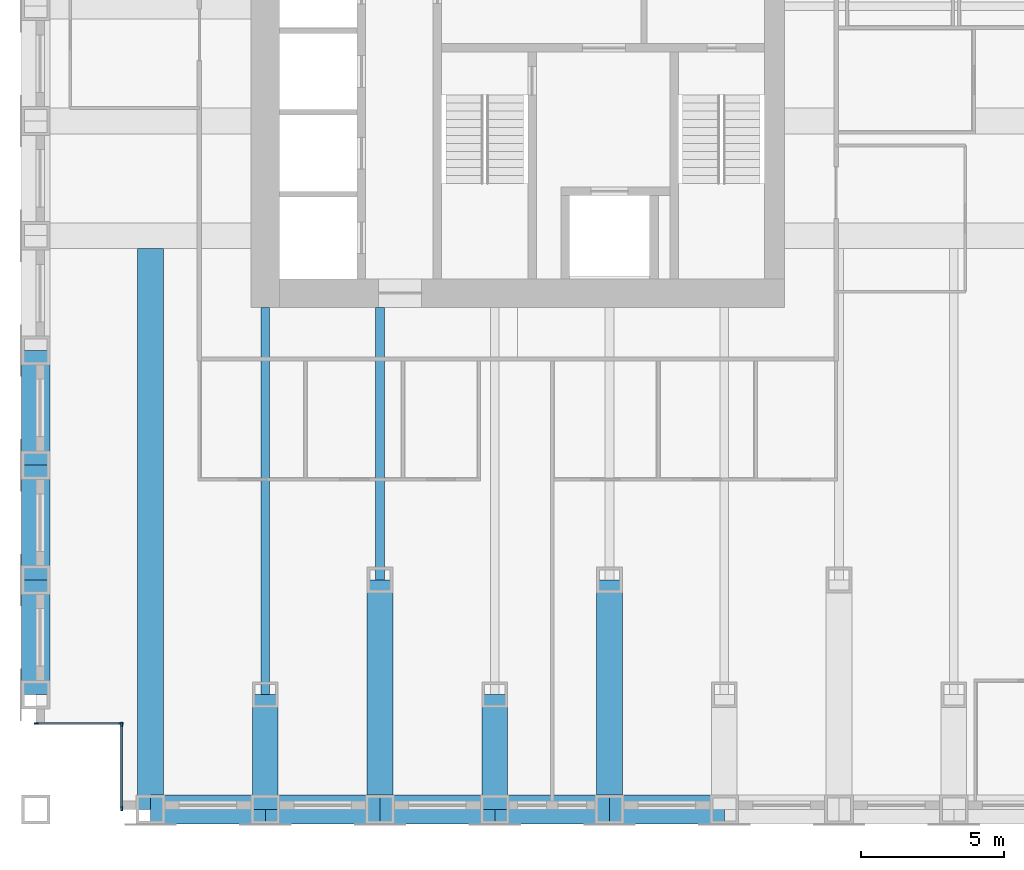
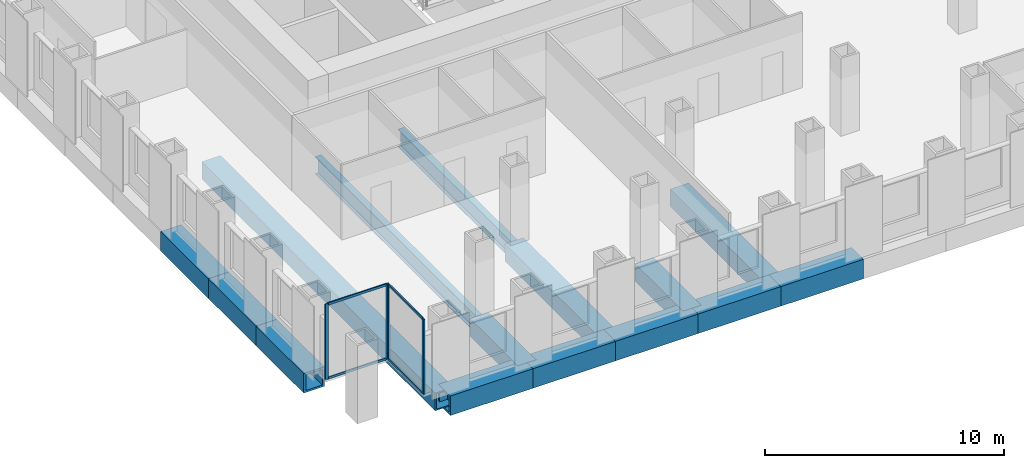
# One storey, part 2 of 16: 15 beams, 8 members, 2 elements without a shape of their own.
"""IFC4 building model written with IfcOpenShell, lengths in metres."""

from ifc_helpers import new_model, si_unit, direction, frame, origin, origin_2d, place, context, subcontext, project, spatial, rectangle, hollow_rectangle, i_section, extrude, material, material_profile, profile_set, type_object, element, aggregate, save


model = new_model("IFC4")

# Units and contexts
model_context = context("Model", 3, precision=1e-05, world=origin(), true_north=direction((0.0, 1.0)))
body_context = subcontext(model_context, "Body", "Model", "MODEL_VIEW")
ifc_project = project(units=[si_unit("LENGTHUNIT", "METRE"), si_unit("AREAUNIT", "SQUARE_METRE"), si_unit("VOLUMEUNIT", "CUBIC_METRE"), si_unit("PLANEANGLEUNIT", "RADIAN"), si_unit("MASSUNIT", "GRAM", prefix="KILO")], contexts=[model_context])

# Site, building, storey
site_placement = place(None, origin())
site = spatial("IfcSite", under=ifc_project, at=site_placement, CompositionType="ELEMENT")
building_placement = place(site_placement, origin())
building = spatial("IfcBuilding", under=site, at=building_placement, Name="Rimbunsela Tower", CompositionType="ELEMENT")
storey_placement = place(building_placement, frame((0.0, 0.0, 97.39990234375)))
storey = spatial("IfcBuildingStorey", under=building, at=storey_placement, Name="L23", CompositionType="ELEMENT", Elevation=97.39990234375)

# Beams
ifc_material_1 = material(Name="Steel BJ 55 (fy 410 MPa)", Category="steel")
ifc_material_profile_1 = material_profile(ifc_material_1, hollow_rectangle(XDim=1.0, YDim=1.0, WallThickness=0.10009765625, at=origin_2d()), Name="BOX 1000x1000x100")
ifc_profile_set_1 = profile_set([ifc_material_profile_1], Name="Steel BJ 55 (fy 410 MPa)")
beam_type_1 = type_object("IfcBeamType", Name="Beam BOX 1000x1000x100", PredefinedType="BEAM", material=ifc_profile_set_1)
for number, where, z_axis, x_axis, name in (
    (1, (10.0, 4.0, -0.64990234375), (0.0, 1.0, 0.0), (-1.0, 0.0, 0.0), "Beam B3 L23"),
    (2, (10.0, 8.0, -0.64990234375), (0.0, 1.0, 0.0), (-1.0, 0.0, 0.0), "Beam B3 L23"),
    (3, (10.0, 12.0, -0.64990234375), (0.0, 1.0, 0.0), (-1.0, 0.0, 0.0), "Beam B3 L23"),
    (4, (14.0, 0.0, -0.64990234375), (1.0, 0.0, 0.0), (0.0, 1.0, 0.0), "Beam B3 L23"),
    (5, (18.0, 0.0, -0.64990234375), (1.0, 0.0, 0.0), (0.0, 1.0, 0.0), "Beam B3 L23"),
    (6, (22.0, 0.0, -0.64990234375), (1.0, 0.0, 0.0), (0.0, 1.0, 0.0), "Beam B3 L23"),
    (7, (26.0, 0.0, -0.64990234375), (1.0, 0.0, 0.0), (0.0, 1.0, 0.0), "Beam B3 L23"),
    (8, (30.0, 0.0, -0.64990234375), (1.0, 0.0, 0.0), (0.0, 1.0, 0.0), "Beam B3 L23"),
):
    element("IfcBeam", number, at=place(storey_placement, frame(where, z_axis=z_axis, x_axis=x_axis)), inside=storey, type_object=beam_type_1, Name=name, PredefinedType="BEAM", context=body_context, shape_type="SweptSolid", body=[
        extrude(hollow_rectangle(XDim=1.0, YDim=1.0, WallThickness=0.10009765625, at=origin_2d()), origin(), (0.0, 0.0, 1.0), 4.0),
    ])
ifc_material_2 = material(Name="Steel BJ 55 (fy 410 MPa)", Category="steel")
ifc_material_profile_2 = material_profile(ifc_material_2, hollow_rectangle(XDim=0.89990234375, YDim=0.89990234375, WallThickness=0.06005859375, at=origin_2d()), Name="BOX 900x900x60")
ifc_profile_set_2 = profile_set([ifc_material_profile_2], Name="Steel BJ 55 (fy 410 MPa)")
beam_type_2 = type_object("IfcBeamType", Name="Beam BOX 900x900x60", PredefinedType="BEAM", material=ifc_profile_set_2)
beam_1_placement = place(storey_placement, frame((14.0, 0.0, -0.599853515625), z_axis=(0.0, 1.0, 0.0), x_axis=(-1.0, 0.0, 0.0)))
element("IfcBeam", 9, at=beam_1_placement, inside=storey, type_object=beam_type_2, Name="Beam B1 L23", PredefinedType="BEAM", context=body_context, shape_type="SweptSolid", body=[
    extrude(hollow_rectangle(XDim=0.89990234375, YDim=0.89990234375, WallThickness=0.06005859375, at=origin_2d()), origin(), (0.0, 0.0, 1.0), 19.550048828125),
])
beam_2_placement = place(storey_placement, frame((18.0, 0.0, -0.599853515625), z_axis=(0.0, 1.0, 0.0), x_axis=(-1.0, 0.0, 0.0)))
element("IfcBeam", 10, at=beam_2_placement, inside=storey, type_object=beam_type_2, Name="Beam B1 L23", PredefinedType="BEAM", context=body_context, shape_type="SweptSolid", body=[
    extrude(hollow_rectangle(XDim=0.89990234375, YDim=0.89990234375, WallThickness=0.06005859375, at=origin_2d()), origin(), (0.0, 0.0, 1.0), 4.0),
])
beam_3_placement = place(storey_placement, frame((22.0, 0.0, -0.599853515625), z_axis=(0.0, 1.0, 0.0), x_axis=(-1.0, 0.0, 0.0)))
element("IfcBeam", 11, at=beam_3_placement, inside=storey, type_object=beam_type_2, Name="Beam B1 L23", PredefinedType="BEAM", context=body_context, shape_type="SweptSolid", body=[
    extrude(hollow_rectangle(XDim=0.89990234375, YDim=0.89990234375, WallThickness=0.06005859375, at=origin_2d()), origin(), (0.0, 0.0, 1.0), 8.0),
])
beam_4_placement = place(storey_placement, frame((26.0, 0.0, -0.599853515625), z_axis=(0.0, 1.0, 0.0), x_axis=(-1.0, 0.0, 0.0)))
element("IfcBeam", 12, at=beam_4_placement, inside=storey, type_object=beam_type_2, Name="Beam B1 L23", PredefinedType="BEAM", context=body_context, shape_type="SweptSolid", body=[
    extrude(hollow_rectangle(XDim=0.89990234375, YDim=0.89990234375, WallThickness=0.06005859375, at=origin_2d()), origin(), (0.0, 0.0, 1.0), 4.0),
])
beam_5_placement = place(storey_placement, frame((30.0, 0.0, -0.599853515625), z_axis=(0.0, 1.0, 0.0), x_axis=(-1.0, 0.0, 0.0)))
element("IfcBeam", 13, at=beam_5_placement, inside=storey, type_object=beam_type_2, Name="Beam B1 L23", PredefinedType="BEAM", context=body_context, shape_type="SweptSolid", body=[
    extrude(hollow_rectangle(XDim=0.89990234375, YDim=0.89990234375, WallThickness=0.06005859375, at=origin_2d()), origin(), (0.0, 0.0, 1.0), 8.0),
])
ifc_material_3 = material(Name="Steel BJ 55 (fy 410 MPa)", Category="steel")
ifc_material_profile_3 = material_profile(ifc_material_3, i_section(OverallWidth=0.300048828125, OverallDepth=0.89990234375, WebThickness=0.01611328125, FlangeThickness=0.028076171875, FilletRadius=0.028076171875, at=origin_2d()), Name="H 900x300x16x28")
ifc_profile_set_3 = profile_set([ifc_material_profile_3], Name="Steel BJ 55 (fy 410 MPa)")
beam_type_3 = type_object("IfcBeamType", Name="Beam H 900x300x16x28", PredefinedType="BEAM", material=ifc_profile_set_3)
beam_6_placement = place(storey_placement, frame((18.0, 4.0, -0.599853515625), z_axis=(0.0, 1.0, 0.0), x_axis=(-1.0, 0.0, 0.0)))
element("IfcBeam", 14, at=beam_6_placement, inside=storey, type_object=beam_type_3, Name="Beam B2 L23", PredefinedType="BEAM", context=body_context, shape_type="SweptSolid", body=[
    extrude(i_section(OverallWidth=0.300048828125, OverallDepth=0.89990234375, WebThickness=0.01611328125, FlangeThickness=0.028076171875, FilletRadius=0.028076171875, at=origin_2d()), origin(), (0.0, 0.0, 1.0), 13.5),
])
beam_7_placement = place(storey_placement, frame((22.0, 8.0, -0.599853515625), z_axis=(0.0, 1.0, 0.0), x_axis=(-1.0, 0.0, 0.0)))
element("IfcBeam", 15, at=beam_7_placement, inside=storey, type_object=beam_type_3, Name="Beam B2 L23", PredefinedType="BEAM", context=body_context, shape_type="SweptSolid", body=[
    extrude(i_section(OverallWidth=0.300048828125, OverallDepth=0.89990234375, WebThickness=0.01611328125, FlangeThickness=0.028076171875, FilletRadius=0.028076171875, at=origin_2d()), origin(), (0.0, 0.0, 1.0), 9.5),
])

# Curtain wall, members
ifc_material_4 = material(Name="Aluminium curtain wall", Category="aluminium")
curtain_wall_type = type_object("IfcCurtainWallType", Name="Corner glazing", PredefinedType="USERDEFINED", material=ifc_material_4)
curtain_wall_1_placement = place(storey_placement, origin())
curtain_wall_1 = element("IfcCurtainWall", 16, at=curtain_wall_1_placement, inside=storey, type_object=curtain_wall_type, Name="Corner glazing L23", ObjectType="CORNER GLAZING", PredefinedType="USERDEFINED")
ifc_material_5 = material(Name="Aluminium mullion", Category="aluminium")
ifc_material_profile_4 = material_profile(ifc_material_5, rectangle(XDim=0.06005859375, YDim=0.159912109375, at=origin_2d()), Name="Mullion 60x160")
ifc_profile_set_4 = profile_set([ifc_material_profile_4], Name="Aluminium mullion")
member_type_1 = type_object("IfcMemberType", Name="Curtain wall mullion 60x160", PredefinedType="MULLION", material=ifc_profile_set_4)
member_1_placement = place(storey_placement, frame((10.030029296875, 3.0, 0.0), z_axis=(0.0, 0.0, 1.0), x_axis=(0.0, 1.0, 0.0)))
member_1 = element("IfcMember", 17, at=member_1_placement, type_object=member_type_1, Name="CW5 mullion 1", PredefinedType="MULLION", context=body_context, shape_type="SweptSolid", body=[
    extrude(rectangle(XDim=0.06005859375, YDim=0.159912109375, at=origin_2d()), origin(), (0.0, 0.0, 1.0), 3.85009765625),
])
member_2_placement = place(storey_placement, frame((12.969970703125, 3.0, 0.0), z_axis=(0.0, 0.0, 1.0), x_axis=(0.0, 1.0, 0.0)))
member_2 = element("IfcMember", 18, at=member_2_placement, type_object=member_type_1, Name="CW5 mullion 2", PredefinedType="MULLION", context=body_context, shape_type="SweptSolid", body=[
    extrude(rectangle(XDim=0.06005859375, YDim=0.159912109375, at=origin_2d()), origin(), (0.0, 0.0, 1.0), 3.85009765625),
])

curtain_wall_2_placement = place(storey_placement, origin())
curtain_wall_2 = element("IfcCurtainWall", 19, at=curtain_wall_2_placement, inside=storey, type_object=curtain_wall_type, Name="Corner glazing L23", ObjectType="CORNER GLAZING", PredefinedType="USERDEFINED")
member_3_placement = place(storey_placement, frame((13.0, 2.969970703125, 0.0), z_axis=(0.0, 0.0, 1.0), x_axis=(1.0, 0.0, 0.0)))
member_3 = element("IfcMember", 20, at=member_3_placement, type_object=member_type_1, Name="CW5 mullion 1", PredefinedType="MULLION", context=body_context, shape_type="SweptSolid", body=[
    extrude(rectangle(XDim=0.06005859375, YDim=0.159912109375, at=origin_2d()), origin(), (0.0, 0.0, 1.0), 3.85009765625),
])
member_4_placement = place(storey_placement, frame((13.0, 0.030029296875, 0.0), z_axis=(0.0, 0.0, 1.0), x_axis=(1.0, 0.0, 0.0)))
member_4 = element("IfcMember", 21, at=member_4_placement, type_object=member_type_1, Name="CW5 mullion 2", PredefinedType="MULLION", context=body_context, shape_type="SweptSolid", body=[
    extrude(rectangle(XDim=0.06005859375, YDim=0.159912109375, at=origin_2d()), origin(), (0.0, 0.0, 1.0), 3.85009765625),
])

# Member
ifc_material_6 = material(Name="Aluminium transom", Category="aluminium")
ifc_material_profile_5 = material_profile(ifc_material_6, rectangle(XDim=0.06005859375, YDim=0.1201171875, at=origin_2d()), Name="Transom 60x120")
ifc_profile_set_5 = profile_set([ifc_material_profile_5], Name="Aluminium transom")
member_type_2 = type_object("IfcMemberType", Name="Curtain wall transom 60x120", PredefinedType="USERDEFINED", material=ifc_profile_set_5)
member_5_placement = place(storey_placement, frame((10.06005859375, 3.0, 0.030029296875), z_axis=(1.0, 0.0, 0.0), x_axis=(0.0, 1.0, 0.0)))
member_5 = element("IfcMember", 22, at=member_5_placement, type_object=member_type_2, Name="CW5 transom 1.1", ObjectType="TRANSOM", PredefinedType="USERDEFINED", context=body_context, shape_type="SweptSolid", body=[
    extrude(rectangle(XDim=0.06005859375, YDim=0.1201171875, at=origin_2d()), origin(), (0.0, 0.0, 1.0), 2.8798828125),
])

member_6_placement = place(storey_placement, frame((10.06005859375, 3.0, 3.820068359375), z_axis=(1.0, 0.0, 0.0), x_axis=(0.0, 1.0, 0.0)))
member_6 = element("IfcMember", 23, at=member_6_placement, type_object=member_type_2, Name="CW5 transom 1.2", ObjectType="TRANSOM", PredefinedType="USERDEFINED", context=body_context, shape_type="SweptSolid", body=[
    extrude(rectangle(XDim=0.06005859375, YDim=0.1201171875, at=origin_2d()), origin(), (0.0, 0.0, 1.0), 2.8798828125),
])

aggregate(curtain_wall_1, [member_1, member_2, member_5, member_6])

member_7_placement = place(storey_placement, frame((13.0, 2.93994140625, 0.030029296875), z_axis=(0.0, -1.0, 0.0), x_axis=(1.0, 0.0, 0.0)))
member_7 = element("IfcMember", 24, at=member_7_placement, type_object=member_type_2, Name="CW5 transom 1.1", ObjectType="TRANSOM", PredefinedType="USERDEFINED", context=body_context, shape_type="SweptSolid", body=[
    extrude(rectangle(XDim=0.06005859375, YDim=0.1201171875, at=origin_2d()), origin(), (0.0, 0.0, 1.0), 2.8798828125),
])

member_8_placement = place(storey_placement, frame((13.0, 2.93994140625, 3.820068359375), z_axis=(0.0, -1.0, 0.0), x_axis=(1.0, 0.0, 0.0)))
member_8 = element("IfcMember", 25, at=member_8_placement, type_object=member_type_2, Name="CW5 transom 1.2", ObjectType="TRANSOM", PredefinedType="USERDEFINED", context=body_context, shape_type="SweptSolid", body=[
    extrude(rectangle(XDim=0.06005859375, YDim=0.1201171875, at=origin_2d()), origin(), (0.0, 0.0, 1.0), 2.8798828125),
])

aggregate(curtain_wall_2, [member_3, member_4, member_7, member_8])

save(model, "model.ifc")
